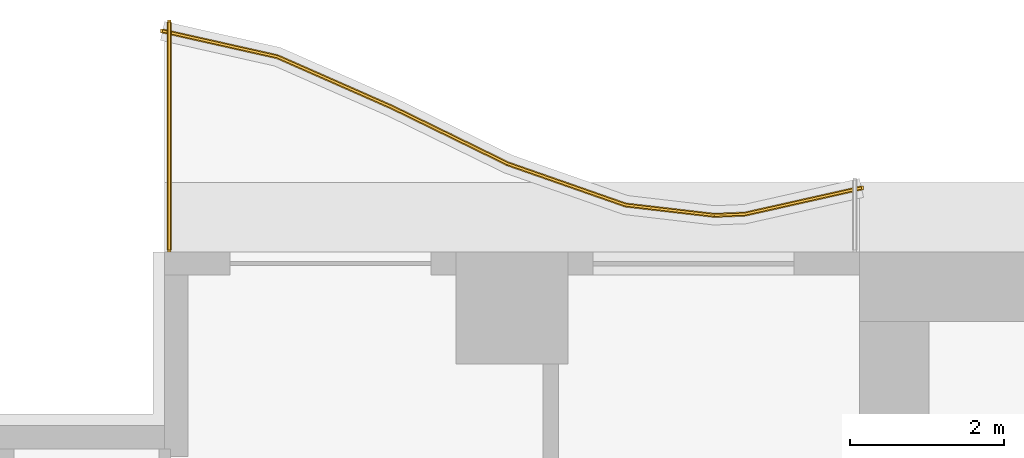
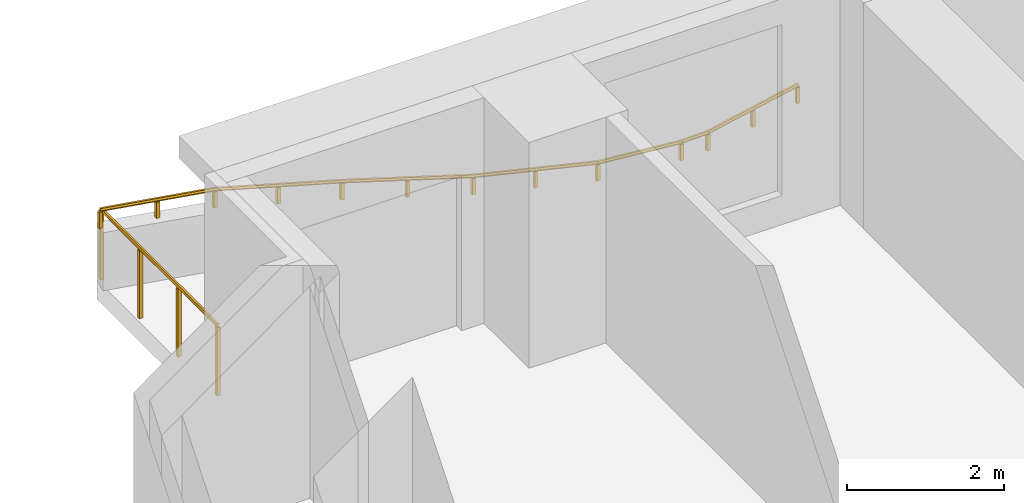
# One storey, part 13 of 14: 2 railings.
"""IFC4 building model written with IfcOpenShell, lengths in metres."""

from ifc_helpers import new_model, si_unit, direction, frame, origin, origin_2d, place, context, subcontext, project, spatial, polyline, rectangle, outline, extrude, material, type_object, element, save


model = new_model("IFC4")

# Units and contexts
model_context = context("Model", 3, precision=1e-05, world=origin(), true_north=direction((0.0, 1.0)))
body_context = subcontext(model_context, "Body", "Model", "MODEL_VIEW")
ifc_project = project(units=[si_unit("LENGTHUNIT", "METRE"), si_unit("AREAUNIT", "SQUARE_METRE"), si_unit("VOLUMEUNIT", "CUBIC_METRE"), si_unit("PLANEANGLEUNIT", "RADIAN"), si_unit("MASSUNIT", "GRAM", prefix="KILO")], contexts=[model_context])

# Site, building, storey
site_placement = place(None, origin())
site = spatial("IfcSite", under=ifc_project, at=site_placement, CompositionType="ELEMENT")
building_placement = place(site_placement, origin())
building = spatial("IfcBuilding", under=site, at=building_placement, Name="Orbiselva Terraces", CompositionType="ELEMENT")
storey_placement = place(building_placement, frame((0.0, 0.0, 34.0)))
storey = spatial("IfcBuildingStorey", under=building, at=storey_placement, Name="L08", CompositionType="ELEMENT", Elevation=34.0)

# Railings
ifc_material_1 = material(Name="Bonded two-ply safety glass balustrade, stainless steel posts", Category="steel")
railing_type_1 = type_object("IfcRailingType", Name="ENV-BALUSTRADE-1200", PredefinedType="BALUSTRADE", material=ifc_material_1)
railing_1_placement = place(storey_placement, frame((-13.472623, 23.329507, 0.9)))
element("IfcRailing", 1, at=railing_1_placement, inside=storey, type_object=railing_type_1, Name="Balcony balustrade L08 NW", PredefinedType="BALUSTRADE", context=body_context, shape_type="SweptSolid", body=[
    extrude(outline(polyline([(0.028868, 0.0), (0.014434, 0.025), (-0.014434, 0.025), (-0.028868, 0.0), (-0.014434, -0.025), (0.014434, -0.025), (0.028868, 0.0)])), frame((0.0, 0.0, 0.275), z_axis=(-0.97572138316, -0.219015484484, 0.0), x_axis=(0.219015484484, -0.97572138316, 0.0)), (0.0, 0.0, 1.0), 1.548694),
    extrude(outline(polyline([(0.028868, 0.0), (0.014434, 0.025), (-0.014434, 0.025), (-0.028868, 0.0), (-0.014434, -0.025), (0.014434, -0.025), (0.028868, 0.0)])), frame((-1.511094, -0.339188, 0.275), z_axis=(-0.999224734286, -0.03936915532, 0.0), x_axis=(0.03936915532, -0.999224734286, 0.0)), (0.0, 0.0, 1.0), 0.396376),
    extrude(outline(polyline([(0.028868, 0.0), (0.014434, 0.025), (-0.014434, 0.025), (-0.028868, 0.0), (-0.014434, -0.025), (0.014434, -0.025), (0.028868, 0.0)])), frame((-1.907163, -0.354793, 0.275), z_axis=(-0.993309551734, 0.115482182324, 0.0), x_axis=(-0.115482182324, -0.993309551734, 0.0)), (0.0, 0.0, 1.0), 1.156135),
    extrude(outline(polyline([(0.028868, 0.0), (0.014434, 0.025), (-0.014434, 0.025), (-0.028868, 0.0), (-0.014434, -0.025), (0.014434, -0.025), (0.028868, 0.0)])), frame((-3.055563, -0.22128, 0.275), z_axis=(-0.943972332783, 0.330024597479, 0.0), x_axis=(-0.330024597479, -0.943972332783, 0.0)), (0.0, 0.0, 1.0), 1.610253),
    extrude(outline(polyline([(0.028868, 0.0), (0.014434, 0.025), (-0.014434, 0.025), (-0.028868, 0.0), (-0.014434, -0.025), (0.014434, -0.025), (0.028868, 0.0)])), frame((-4.575597, 0.310143, 0.275), z_axis=(-0.898578870221, 0.438812048596, 0.0), x_axis=(-0.438812048596, -0.898578870221, 0.0)), (0.0, 0.0, 1.0), 1.674225),
    extrude(outline(polyline([(0.028868, 0.0), (0.014434, 0.025), (-0.014434, 0.025), (-0.028868, 0.0), (-0.014434, -0.025), (0.014434, -0.025), (0.028868, 0.0)])), frame((-6.08002, 1.044813, 0.275), z_axis=(-0.915133363686, 0.403151245402, 0.0), x_axis=(-0.403151245402, -0.915133363686, 0.0)), (0.0, 0.0, 1.0), 1.624475),
    extrude(outline(polyline([(0.028868, 0.0), (0.014434, 0.025), (-0.014434, 0.025), (-0.028868, 0.0), (-0.014434, -0.025), (0.014434, -0.025), (0.028868, 0.0)])), frame((-7.566631, 1.699722, 0.275), z_axis=(-0.975721356559, 0.219015602994, 0.0), x_axis=(-0.219015602994, -0.975721356559, 0.0)), (0.0, 0.0, 1.0), 1.525152),
    extrude(rectangle(XDim=0.05, YDim=0.05, at=origin_2d()), origin(), (0.0, 0.0, 1.0), 0.25),
    extrude(rectangle(XDim=0.05, YDim=0.05, at=origin_2d()), frame((-0.755547, -0.169594, 0.0)), (0.0, 0.0, 1.0), 0.25),
    extrude(rectangle(XDim=0.05, YDim=0.05, at=origin_2d()), frame((-1.511094, -0.339188, 0.0)), (0.0, 0.0, 1.0), 0.25),
    extrude(rectangle(XDim=0.05, YDim=0.05, at=origin_2d()), frame((-1.907163, -0.354793, 0.0)), (0.0, 0.0, 1.0), 0.25),
    extrude(rectangle(XDim=0.05, YDim=0.05, at=origin_2d()), frame((-3.055563, -0.22128, 0.0)), (0.0, 0.0, 1.0), 0.25),
    extrude(rectangle(XDim=0.05, YDim=0.05, at=origin_2d()), frame((-3.81558, 0.044431, 0.0)), (0.0, 0.0, 1.0), 0.25),
    extrude(rectangle(XDim=0.05, YDim=0.05, at=origin_2d()), frame((-4.575597, 0.310143, 0.0)), (0.0, 0.0, 1.0), 0.25),
    extrude(rectangle(XDim=0.05, YDim=0.05, at=origin_2d()), frame((-5.327808, 0.677478, 0.0)), (0.0, 0.0, 1.0), 0.25),
    extrude(rectangle(XDim=0.05, YDim=0.05, at=origin_2d()), frame((-6.08002, 1.044813, 0.0)), (0.0, 0.0, 1.0), 0.25),
    extrude(rectangle(XDim=0.05, YDim=0.05, at=origin_2d()), frame((-6.823325, 1.372268, 0.0)), (0.0, 0.0, 1.0), 0.25),
    extrude(rectangle(XDim=0.05, YDim=0.05, at=origin_2d()), frame((-7.566631, 1.699722, 0.0)), (0.0, 0.0, 1.0), 0.25),
    extrude(rectangle(XDim=0.05, YDim=0.05, at=origin_2d()), frame((-8.310692, 1.866738, 0.0)), (0.0, 0.0, 1.0), 0.25),
    extrude(rectangle(XDim=0.05, YDim=0.05, at=origin_2d()), frame((-9.054754, 2.033754, 0.0)), (0.0, 0.0, 1.0), 0.25),
])
ifc_material_2 = material(Name="Stainless steel rail and posts", Category="steel")
railing_type_2 = type_object("IfcRailingType", Name="ENV-GUARD-1105", PredefinedType="BALUSTRADE", material=ifc_material_2)
railing_2_placement = place(storey_placement, frame((-22.44, 25.480134, 0.0)))
element("IfcRailing", 2, at=railing_2_placement, inside=storey, type_object=railing_type_2, Name="Balcony end guard L08 NW", PredefinedType="BALUSTRADE", context=body_context, shape_type="SweptSolid", body=[
    extrude(outline(polyline([(0.028868, 0.0), (0.014434, 0.025), (-0.014434, 0.025), (-0.028868, 0.0), (-0.014434, -0.025), (0.014434, -0.025), (0.028868, 0.0)])), frame((0.0, 0.0, 1.08), z_axis=(0.0, -1.0, 0.0), x_axis=(1.0, 0.0, 0.0)), (0.0, 0.0, 1.0), 2.955134),
    extrude(rectangle(XDim=0.05, YDim=0.05, at=origin_2d()), origin(), (0.0, 0.0, 1.0), 1.055),
    extrude(rectangle(XDim=0.05, YDim=0.05, at=origin_2d()), frame((0.0, -0.985045, 0.0)), (0.0, 0.0, 1.0), 1.055),
    extrude(rectangle(XDim=0.05, YDim=0.05, at=origin_2d()), frame((0.0, -1.970089, 0.0)), (0.0, 0.0, 1.0), 1.055),
    extrude(rectangle(XDim=0.05, YDim=0.05, at=origin_2d()), frame((0.0, -2.955134, 0.0)), (0.0, 0.0, 1.0), 1.055),
])

save(model, "model.ifc")
